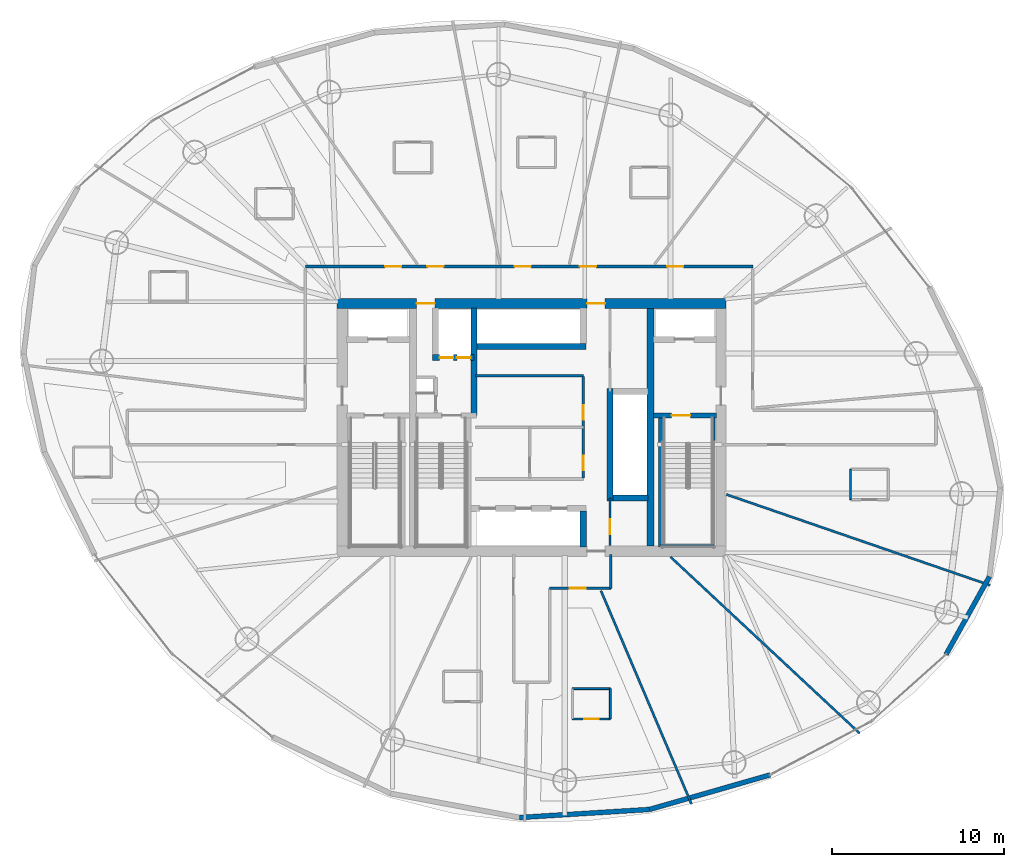
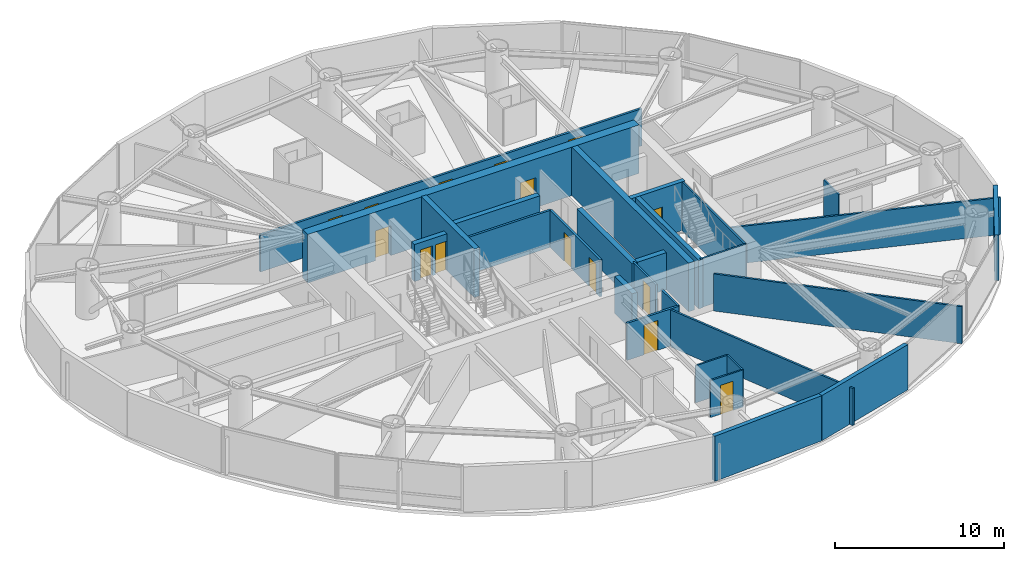
# One storey, part 15 of 20: 28 walls, 15 doors, 15 openings.
"""IFC4 building model written with IfcOpenShell, lengths in metres."""

from ifc_helpers import new_model, si_unit, direction, frame, frame_2d, origin, place, context, subcontext, project, spatial, rectangle, extrude, material, layer, layer_set, type_object, element, fill, save


model = new_model("IFC4")

# Units and contexts
model_context = context("Model", 3, precision=1e-05, world=origin(), true_north=direction((0.0, 1.0)))
body_context = subcontext(model_context, "Body", "Model", "MODEL_VIEW")
ifc_project = project(units=[si_unit("LENGTHUNIT", "METRE"), si_unit("AREAUNIT", "SQUARE_METRE"), si_unit("VOLUMEUNIT", "CUBIC_METRE"), si_unit("PLANEANGLEUNIT", "RADIAN"), si_unit("MASSUNIT", "GRAM", prefix="KILO")], contexts=[model_context])

# Site, building, storey
site_placement = place(None, origin())
site = spatial("IfcSite", under=ifc_project, at=site_placement, CompositionType="ELEMENT")
building_placement = place(site_placement, origin())
building = spatial("IfcBuilding", under=site, at=building_placement, Name="Bramvorn Convention Spire", CompositionType="ELEMENT")
storey_placement = place(building_placement, frame((0.0, 0.0, 106.300048828125)))
storey = spatial("IfcBuildingStorey", under=building, at=storey_placement, Name="L25", CompositionType="ELEMENT", Elevation=106.300048828125)

# Wall, openings, doors
ifc_material_1 = material(Name="Concrete C60/70", Category="concrete")
ifc_layer_1 = layer(ifc_material_1, 0.60009765625)
ifc_layer_set_1 = layer_set([ifc_layer_1], Name="Concrete C60/70 - WL-CORE-600")
wall_type_1 = type_object("IfcWallType", Name="WL-CORE-600", PredefinedType="SHEAR", material=ifc_layer_set_1)
wall_1_placement = place(storey_placement, frame((26.699951171875, 33.199951171875, 0.0), z_axis=(0.0, 0.0, 1.0), x_axis=(1.0, 0.0, 0.0)))
wall_1 = element("IfcWall", 1, at=wall_1_placement, inside=storey, type_object=wall_type_1, Name="L25 North RC core shear wall", PredefinedType="SHEAR", context=body_context, shape_type="SweptSolid", body=[
    extrude(rectangle(XDim=22.60009765625, YDim=0.60009765625, at=frame_2d((11.300048828125, 0.0))), origin(), (0.0, 0.0, 1.0), 3.5),
])
opening_1_placement = place(wall_1_placement, frame((4.6201171875, 0.0, 0.0)))
opening_1 = element("IfcOpeningElement", 2, at=opening_1_placement, cuts=wall_1, Name="Opening DL-105", PredefinedType="OPENING", context=body_context, shape_type="SweptSolid", body=[
    extrude(rectangle(XDim=1.050048828125, YDim=2.14990234375, at=frame_2d((0.52490234375, 1.074951171875))), frame((0.0, 0.31005859375, 0.0), z_axis=(0.0, -1.0, 0.0), x_axis=(1.0, 0.0, 0.0)), (0.0, 0.0, 1.0), 0.6201171875),
])
opening_2_placement = place(wall_1_placement, frame((14.52001953125, 0.0, 0.0)))
opening_2 = element("IfcOpeningElement", 3, at=opening_2_placement, cuts=wall_1, Name="Opening DL-105", PredefinedType="OPENING", context=body_context, shape_type="SweptSolid", body=[
    extrude(rectangle(XDim=1.050048828125, YDim=2.14990234375, at=frame_2d((0.52490234375, 1.074951171875))), frame((0.0, 0.31005859375, 0.0), z_axis=(0.0, -1.0, 0.0), x_axis=(1.0, 0.0, 0.0)), (0.0, 0.0, 1.0), 0.6201171875),
])
ifc_material_2 = material(Name="Smoke-Sealed Fire Lobby Timber-Core Door", Category="wood")
door_type_1 = type_object("IfcDoorType", Name="DR-LOBBY-1050", OperationType="NOTDEFINED", PredefinedType="DOOR", material=ifc_material_2)
door_1_placement = place(opening_1_placement, origin())
door_1 = element("IfcDoor", 4, at=door_1_placement, inside=storey, type_object=door_type_1, Name="L25 Service & Stair ST3 Lobby north corridor door", OperationType="SINGLE_SWING_LEFT", OverallHeight=2.14990234375, OverallWidth=1.050048828125, PredefinedType="DOOR", context=body_context, shape_type="SweptSolid", body=[
    extrude(rectangle(XDim=1.050048828125, YDim=2.14990234375, at=frame_2d((0.52490234375, 1.074951171875))), frame((0.0, 0.02490234375, 0.0), z_axis=(0.0, -1.0, 0.0), x_axis=(1.0, 0.0, 0.0)), (0.0, 0.0, 1.0), 0.050048828125),
])
fill(opening_1, door_1)
door_2_placement = place(opening_2_placement, origin())
door_2 = element("IfcDoor", 5, at=door_2_placement, inside=storey, type_object=door_type_1, Name="L25 North Lift Lobby fire door", OperationType="SINGLE_SWING_LEFT", OverallHeight=2.14990234375, OverallWidth=1.050048828125, PredefinedType="DOOR", context=body_context, shape_type="SweptSolid", body=[
    extrude(rectangle(XDim=1.050048828125, YDim=2.14990234375, at=frame_2d((0.52490234375, 1.074951171875))), frame((0.0, 0.02490234375, 0.0), z_axis=(0.0, -1.0, 0.0), x_axis=(1.0, 0.0, 0.0)), (0.0, 0.0, 1.0), 0.050048828125),
])
fill(opening_2, door_2)

# Wall
ifc_material_3 = material(Name="Concrete C50/60", Category="concrete")
ifc_layer_2 = layer(ifc_material_3, 0.35009765625)
ifc_layer_set_2 = layer_set([ifc_layer_2], Name="Concrete C50/60 - WL-CORE-INT-350")
wall_type_2 = type_object("IfcWallType", Name="WL-CORE-INT-350", PredefinedType="SHEAR", material=ifc_layer_set_2)
wall_2_placement = place(storey_placement, frame((34.639892578125, 26.68994140625, 0.0), z_axis=(0.0, 0.0, 1.0), x_axis=(0.0, 1.0, 0.0)))
element("IfcWall", 6, at=wall_2_placement, inside=storey, type_object=wall_type_2, Name="L25 SV east core shaft wall", PredefinedType="SHEAR", context=body_context, shape_type="SweptSolid", body=[
    extrude(rectangle(XDim=6.260009765625, YDim=0.35009765625, at=frame_2d((3.1298828125, 0.0))), origin(), (0.0, 0.0, 1.0), 3.5),
])

# Wall, openings, doors
wall_3_placement = place(storey_placement, frame((32.22998046875, 30.050048828125, 0.0), z_axis=(0.0, 0.0, 1.0), x_axis=(1.0, 0.0, 0.0)))
wall_3 = element("IfcWall", 7, at=wall_3_placement, inside=storey, type_object=wall_type_2, Name="L25 SV1/SV2 shaft front wall", PredefinedType="SHEAR", context=body_context, shape_type="SweptSolid", body=[
    extrude(rectangle(XDim=2.409912109375, YDim=0.35009765625, at=frame_2d((1.205078125, 0.0))), origin(), (0.0, 0.0, 1.0), 2.675048828125),
])
opening_3_placement = place(wall_3_placement, frame((0.419921875, 0.0, 0.0)))
opening_3 = element("IfcOpeningElement", 8, at=opening_3_placement, cuts=wall_3, Name="Opening LD-080", PredefinedType="OPENING", context=body_context, shape_type="SweptSolid", body=[
    extrude(rectangle(XDim=0.800048828125, YDim=2.14990234375, at=frame_2d((0.39990234375, 1.074951171875))), frame((0.0, 0.18505859375, 0.0), z_axis=(0.0, -1.0, 0.0), x_axis=(1.0, 0.0, 0.0)), (0.0, 0.0, 1.0), 0.3701171875),
])
opening_4_placement = place(wall_3_placement, frame((1.419921875, 0.0, 0.0)))
opening_4 = element("IfcOpeningElement", 9, at=opening_4_placement, cuts=wall_3, Name="Opening LD-080", PredefinedType="OPENING", context=body_context, shape_type="SweptSolid", body=[
    extrude(rectangle(XDim=0.800048828125, YDim=2.14990234375, at=frame_2d((0.39990234375, 1.074951171875))), frame((0.0, 0.18505859375, 0.0), z_axis=(0.0, -1.0, 0.0), x_axis=(1.0, 0.0, 0.0)), (0.0, 0.0, 1.0), 0.3701171875),
])
ifc_material_4 = material(Name="Service Lift Bi-Parting Landing Door", Category="steel")
door_type_2 = type_object("IfcDoorType", Name="DR-LIFT-LD-800", OperationType="NOTDEFINED", PredefinedType="DOOR", material=ifc_material_4)
door_3_placement = place(opening_3_placement, origin())
door_3 = element("IfcDoor", 10, at=door_3_placement, inside=storey, type_object=door_type_2, Name="L25 Lift SV1 Sliding Landing Door", OperationType="SLIDING_TO_LEFT", OverallHeight=2.14990234375, OverallWidth=0.800048828125, PredefinedType="DOOR", context=body_context, shape_type="SweptSolid", body=[
    extrude(rectangle(XDim=0.800048828125, YDim=2.14990234375, at=frame_2d((0.39990234375, 1.074951171875))), frame((0.0, 0.02490234375, 0.0), z_axis=(0.0, -1.0, 0.0), x_axis=(1.0, 0.0, 0.0)), (0.0, 0.0, 1.0), 0.050048828125),
])
fill(opening_3, door_3)
door_4_placement = place(opening_4_placement, origin())
door_4 = element("IfcDoor", 11, at=door_4_placement, inside=storey, type_object=door_type_2, Name="L25 Lift SV2 Sliding Landing Door", OperationType="SLIDING_TO_LEFT", OverallHeight=2.14990234375, OverallWidth=0.800048828125, PredefinedType="DOOR", context=body_context, shape_type="SweptSolid", body=[
    extrude(rectangle(XDim=0.800048828125, YDim=2.14990234375, at=frame_2d((0.39990234375, 1.074951171875))), frame((0.0, 0.02490234375, 0.0), z_axis=(0.0, -1.0, 0.0), x_axis=(1.0, 0.0, 0.0)), (0.0, 0.0, 1.0), 0.050048828125),
])
fill(opening_4, door_4)

# Walls
wall_4_placement = place(storey_placement, frame((42.550048828125, 21.72998046875, 0.0), z_axis=(0.0, 0.0, 1.0), x_axis=(0.0, 1.0, 0.0)))
element("IfcWall", 12, at=wall_4_placement, inside=storey, type_object=wall_type_2, Name="L25 High-rise lift bank west wall", PredefinedType="SHEAR", context=body_context, shape_type="SweptSolid", body=[
    extrude(rectangle(XDim=6.5400390625, YDim=0.35009765625, at=frame_2d((3.27001953125, 0.0))), origin(), (0.0, 0.0, 1.0), 2.675048828125),
])
wall_5_placement = place(storey_placement, frame((42.719970703125, 21.89990234375, 0.0), z_axis=(0.0, 0.0, 1.0), x_axis=(1.0, 0.0, 0.0)))
element("IfcWall", 13, at=wall_5_placement, inside=storey, type_object=wall_type_2, Name="L25 High-rise lift bank south wall", PredefinedType="SHEAR", context=body_context, shape_type="SweptSolid", body=[
    extrude(rectangle(XDim=2.030029296875, YDim=0.35009765625, at=frame_2d((1.01513671875, 0.0))), origin(), (0.0, 0.0, 1.0), 2.675048828125),
])
wall_6_placement = place(storey_placement, frame((34.81005859375, 30.699951171875, 0.0), z_axis=(0.0, 0.0, 1.0), x_axis=(1.0, 0.0, 0.0)))
element("IfcWall", 14, at=wall_6_placement, inside=storey, type_object=wall_type_2, Name="L25 Low-rise bank south landing wall", PredefinedType="SHEAR", context=body_context, shape_type="SweptSolid", body=[
    extrude(rectangle(XDim=6.35986328125, YDim=0.35009765625, at=frame_2d((3.179931640625, 0.0))), origin(), (0.0, 0.0, 1.0), 2.675048828125),
])
wall_7_placement = place(storey_placement, frame((41.0, 19.050048828125, 0.0), z_axis=(0.0, 0.0, 1.0), x_axis=(0.0, 1.0, 0.0)))
element("IfcWall", 15, at=wall_7_placement, inside=storey, type_object=wall_type_2, Name="L25 Mid-rise bank east cheek wall", PredefinedType="SHEAR", context=body_context, shape_type="SweptSolid", body=[
    extrude(rectangle(XDim=2.079833984375, YDim=0.35009765625, at=frame_2d((1.0400390625, 0.0))), origin(), (0.0, 0.0, 1.0), 2.675048828125),
])
ifc_layer_3 = layer(ifc_material_1, 0.39990234375)
ifc_layer_set_3 = layer_set([ifc_layer_3], Name="Concrete C60/70 - WL-CORE-INT-400")
wall_type_3 = type_object("IfcWallType", Name="WL-CORE-INT-400", PredefinedType="SHEAR", material=ifc_layer_set_3)
wall_8_placement = place(storey_placement, frame((44.89990234375, 19.10009765625, 0.0), z_axis=(0.0, 0.0, 1.0), x_axis=(0.0, 1.0, 0.0)))
element("IfcWall", 16, at=wall_8_placement, inside=storey, type_object=wall_type_3, Name="L25 East internal core shear web", PredefinedType="SHEAR", context=body_context, shape_type="SweptSolid", body=[
    extrude(rectangle(XDim=13.7998046875, YDim=0.39990234375, at=frame_2d((6.89990234375, 0.0))), origin(), (0.0, 0.0, 1.0), 3.5),
])
ifc_material_5 = material(Name="Precast Concrete C40/50 with Bronze Terracotta Rainscreen", Category="masonry")
ifc_layer_4 = layer(ifc_material_5, 0.300048828125)
ifc_layer_set_4 = layer_set([ifc_layer_4], Name="Precast Concrete C40/50 with Bronze Terracotta Rainscreen - WL-EXT-BRONZE-300")
wall_type_4 = type_object("IfcWallType", Name="WL-EXT-BRONZE-300", PredefinedType="SOLIDWALL", material=ifc_layer_set_4)
wall_9_placement = place(storey_placement, frame((44.848388671875, 3.799560546875, 0.0), z_axis=(0.0, 0.0, 1.0), x_axis=(-0.99808058992, -0.061928475073, 0.0)))
element("IfcWall", 17, at=wall_9_placement, inside=storey, type_object=wall_type_4, Name="L25 expressed bronze Gothic lancet pier wall 20", PredefinedType="SOLIDWALL", context=body_context, shape_type="SweptSolid", body=[
    extrude(rectangle(XDim=7.5693359375, YDim=0.280029296875, at=frame_2d((3.78466796875, 0.0))), origin(), (0.0, 0.0, 1.0), 3.260009765625),
])
wall_10_placement = place(storey_placement, frame((51.8583984375, 5.806396484375, 0.0), z_axis=(0.0, 0.0, 1.0), x_axis=(-0.961379778043, -0.275225221172, 0.0)))
element("IfcWall", 18, at=wall_10_placement, inside=storey, type_object=wall_type_4, Name="L25 expressed bronze Gothic lancet pier wall 21", PredefinedType="SOLIDWALL", context=body_context, shape_type="SweptSolid", body=[
    extrude(rectangle(XDim=7.29150390625, YDim=0.280029296875, at=frame_2d((3.645751953125, 0.0))), origin(), (0.0, 0.0, 1.0), 3.260009765625),
])
wall_11_placement = place(storey_placement, frame((64.60302734375, 17.33056640625, 0.0), z_axis=(0.0, 0.0, 1.0), x_axis=(-0.486776225007, -0.873526706385, 0.0)))
element("IfcWall", 19, at=wall_11_placement, inside=storey, type_object=wall_type_4, Name="L25 expressed bronze Gothic lancet pier wall 24", PredefinedType="SOLIDWALL", context=body_context, shape_type="SweptSolid", body=[
    extrude(rectangle(XDim=5.174560546875, YDim=0.280029296875, at=frame_2d((2.58740234375, 0.0))), origin(), (0.0, 0.0, 1.0), 3.260009765625),
])

# Wall, opening, door
ifc_material_6 = material(Name="Lightweight En-Suite & Wet-Wall Partition", Category="gypsum")
ifc_layer_5 = layer(ifc_material_6, 0.110107421875)
ifc_layer_set_5 = layer_set([ifc_layer_5], Name="Lightweight En-Suite & Wet-Wall Partition - WL-PART-110")
wall_type_5 = type_object("IfcWallType", Name="WL-PART-110", PredefinedType="PARTITIONING", material=ifc_layer_set_5)
wall_12_placement = place(storey_placement, frame((40.37353515625, 9.05810546875, 0.0), z_axis=(0.0, 0.0, 1.0), x_axis=(1.0, 0.0, 0.0)))
wall_12 = element("IfcWall", 20, at=wall_12_placement, inside=storey, type_object=wall_type_5, Name="Hotel Suite 2512 en-suite south wall", PredefinedType="PARTITIONING", context=body_context, shape_type="SweptSolid", body=[
    extrude(rectangle(XDim=2.199951171875, YDim=0.110107421875, at=frame_2d((1.10009765625, 0.0))), origin(), (0.0, 0.0, 1.0), 2.675048828125),
])
opening_5_placement = place(wall_12_placement, frame((0.679931640625, 0.0, 0.0)))
opening_5 = element("IfcOpeningElement", 21, at=opening_5_placement, cuts=wall_12, Name="Opening DI-085", PredefinedType="OPENING", context=body_context, shape_type="SweptSolid", body=[
    extrude(rectangle(XDim=0.85009765625, YDim=2.10009765625, at=frame_2d((0.425048828125, 1.050048828125))), frame((0.0, 0.06494140625, 0.0), z_axis=(0.0, -1.0, 0.0), x_axis=(1.0, 0.0, 0.0)), (0.0, 0.0, 1.0), 0.130126953125),
])
ifc_material_7 = material(Name="En-Suite & Restroom Privacy Door", Category="wood")
door_type_3 = type_object("IfcDoorType", Name="DR-INT-850", OperationType="NOTDEFINED", PredefinedType="DOOR", material=ifc_material_7)
door_5_placement = place(opening_5_placement, origin())
door_5 = element("IfcDoor", 22, at=door_5_placement, inside=storey, type_object=door_type_3, Name="Hotel Suite 2512 En-Suite Bathroom door", OperationType="SINGLE_SWING_LEFT", OverallHeight=2.10009765625, OverallWidth=0.85009765625, PredefinedType="DOOR", context=body_context, shape_type="SweptSolid", body=[
    extrude(rectangle(XDim=0.85009765625, YDim=2.10009765625, at=frame_2d((0.425048828125, 1.050048828125))), frame((0.0, 0.02490234375, 0.0), z_axis=(0.0, -1.0, 0.0), x_axis=(1.0, 0.0, 0.0)), (0.0, 0.0, 1.0), 0.050048828125),
])
fill(opening_5, door_5)

# Walls
wall_13_placement = place(storey_placement, frame((40.37353515625, 10.818115234375, 0.0), z_axis=(0.0, 0.0, 1.0), x_axis=(1.0, 0.0, 0.0)))
element("IfcWall", 23, at=wall_13_placement, inside=storey, type_object=wall_type_5, Name="Hotel Suite 2512 en-suite north wall", PredefinedType="PARTITIONING", context=body_context, shape_type="SweptSolid", body=[
    extrude(rectangle(XDim=2.199951171875, YDim=0.110107421875, at=frame_2d((1.10009765625, 0.0))), origin(), (0.0, 0.0, 1.0), 2.675048828125),
])
for number, where, z_axis, x_axis, name in (
    (24, (42.573486328125, 9.05810546875, 0.0), (0.0, 0.0, 1.0), (0.0, 1.0, 0.0), "Hotel Suite 2512 en-suite east wall"),
    (25, (56.53173828125, 21.80517578125, 0.0), (0.0, 0.0, 1.0), (0.0, 1.0, 0.0), "Hotel Suite 2515 en-suite west wall"),
):
    element("IfcWall", number, at=place(storey_placement, frame(where, z_axis=z_axis, x_axis=x_axis)), inside=storey, type_object=wall_type_5, Name=name, PredefinedType="PARTITIONING", context=body_context, shape_type="SweptSolid", body=[
        extrude(rectangle(XDim=1.760009765625, YDim=0.110107421875, at=frame_2d((0.8798828125, 0.0))), origin(), (0.0, 0.0, 1.0), 2.675048828125),
    ])

# Wall, opening, door
ifc_material_8 = material(Name="Metal-Stud Demountable Office Partition", Category="gypsum")
ifc_layer_6 = layer(ifc_material_8, 0.1298828125)
ifc_layer_set_6 = layer_set([ifc_layer_6], Name="Metal-Stud Demountable Office Partition - WL-PART-130")
wall_type_6 = type_object("IfcWallType", Name="WL-PART-130", PredefinedType="PARTITIONING", material=ifc_layer_set_6)
wall_14_placement = place(storey_placement, frame((42.550048828125, 19.14990234375, 0.0), z_axis=(0.0, 0.0, 1.0), x_axis=(0.0, 1.0, 0.0)))
wall_14 = element("IfcWall", 26, at=wall_14_placement, inside=storey, type_object=wall_type_6, Name="L25 KA SE store wall", PredefinedType="PARTITIONING", context=body_context, shape_type="SweptSolid", body=[
    extrude(rectangle(XDim=2.75, YDim=0.1298828125, at=frame_2d((1.375, 0.0))), origin(), (0.0, 0.0, 1.0), 2.675048828125),
])
opening_6_placement = place(wall_14_placement, frame((0.64990234375, 0.0, 0.0)))
opening_6 = element("IfcOpeningElement", 27, at=opening_6_placement, cuts=wall_14, Name="Opening DC-085", PredefinedType="OPENING", context=body_context, shape_type="SweptSolid", body=[
    extrude(rectangle(XDim=0.85009765625, YDim=2.10009765625, at=frame_2d((0.425048828125, 1.050048828125))), frame((0.0, 0.074951171875, 0.0), z_axis=(0.0, -1.0, 0.0), x_axis=(1.0, 0.0, 0.0)), (0.0, 0.0, 1.0), 0.14990234375),
])
ifc_material_9 = material(Name="Fire-Rated Core Washroom & IDF Door", Category="wood")
door_type_4 = type_object("IfcDoorType", Name="DR-CORE-850", OperationType="NOTDEFINED", PredefinedType="DOOR", material=ifc_material_9)
door_6_placement = place(opening_6_placement, origin())
door_6 = element("IfcDoor", 28, at=door_6_placement, inside=storey, type_object=door_type_4, Name="L25 Floor Housekeeping & Linen Store door", OperationType="SINGLE_SWING_LEFT", OverallHeight=2.10009765625, OverallWidth=0.85009765625, PredefinedType="DOOR", context=body_context, shape_type="SweptSolid", body=[
    extrude(rectangle(XDim=0.85009765625, YDim=2.10009765625, at=frame_2d((0.425048828125, 1.050048828125))), frame((0.0, 0.02490234375, 0.0), z_axis=(0.0, -1.0, 0.0), x_axis=(1.0, 0.0, 0.0)), (0.0, 0.0, 1.0), 0.050048828125),
])
fill(opening_6, door_6)

# Walls
wall_15_placement = place(storey_placement, frame((42.0283203125, 16.510009765625, 0.0), z_axis=(0.0, 0.0, 1.0), x_axis=(0.390724326838, -0.920507740552, 0.0)))
element("IfcWall", 29, at=wall_15_placement, inside=storey, type_object=wall_type_6, Name="L25 Guestroom demising wall 13", PredefinedType="PARTITIONING", context=body_context, shape_type="SweptSolid", body=[
    extrude(rectangle(XDim=13.474609375, YDim=0.1298828125, at=frame_2d((6.7373046875, 0.0))), origin(), (0.0, 0.0, 1.0), 2.675048828125),
])
wall_16_placement = place(storey_placement, frame((46.064208984375, 18.47998046875, 0.0), z_axis=(0.0, 0.0, 1.0), x_axis=(0.73135803083, -0.681993717523, 0.0)))
element("IfcWall", 30, at=wall_16_placement, inside=storey, type_object=wall_type_6, Name="L25 Guestroom demising wall 14", PredefinedType="PARTITIONING", context=body_context, shape_type="SweptSolid", body=[
    extrude(rectangle(XDim=15.039794921875, YDim=0.1298828125, at=frame_2d((7.52001953125, 0.0))), origin(), (0.0, 0.0, 1.0), 2.675048828125),
])
wall_17_placement = place(storey_placement, frame((49.320068359375, 22.102294921875, 0.0), z_axis=(0.0, 0.0, 1.0), x_axis=(0.945519124535, -0.325566560229, 0.0)))
element("IfcWall", 31, at=wall_17_placement, inside=storey, type_object=wall_type_6, Name="L25 Guestroom demising wall 15", PredefinedType="PARTITIONING", context=body_context, shape_type="SweptSolid", body=[
    extrude(rectangle(XDim=16.2158203125, YDim=0.1298828125, at=frame_2d((8.10791015625, 0.0))), origin(), (0.0, 0.0, 1.0), 2.675048828125),
])
ifc_material_10 = material(Name="Acoustic Metal-Stud Tenant/Corridor Partition", Category="gypsum")
ifc_layer_7 = layer(ifc_material_10, 0.14990234375)
ifc_layer_set_7 = layer_set([ifc_layer_7], Name="Acoustic Metal-Stud Tenant/Corridor Partition - WL-PART-150")
wall_type_7 = type_object("IfcWallType", Name="WL-PART-150", PredefinedType="PARTITIONING", material=ifc_layer_set_7)
wall_18_placement = place(storey_placement, frame((34.75, 29.0, 0.0), z_axis=(0.0, 0.0, 1.0), x_axis=(1.0, 0.0, 0.0)))
element("IfcWall", 32, at=wall_18_placement, inside=storey, type_object=wall_type_7, Name="L25 Low-rise lift vestibule south wall", PredefinedType="PARTITIONING", context=body_context, shape_type="SweptSolid", body=[
    extrude(rectangle(XDim=6.25, YDim=0.14990234375, at=frame_2d((3.125, 0.0))), origin(), (0.0, 0.0, 1.0), 2.675048828125),
])

# Wall, openings, doors
wall_19_placement = place(storey_placement, frame((41.0, 23.050048828125, 0.0), z_axis=(0.0, 0.0, 1.0), x_axis=(0.0, 1.0, 0.0)))
wall_19 = element("IfcWall", 33, at=wall_19_placement, inside=storey, type_object=wall_type_7, Name="L25 KA east core wall", PredefinedType="PARTITIONING", context=body_context, shape_type="SweptSolid", body=[
    extrude(rectangle(XDim=5.89990234375, YDim=0.14990234375, at=frame_2d((2.949951171875, 0.0))), origin(), (0.0, 0.0, 1.0), 2.675048828125),
])
opening_7_placement = place(wall_19_placement, frame((3.39990234375, 0.0, 0.0)))
opening_7 = element("IfcOpeningElement", 34, at=opening_7_placement, cuts=wall_19, Name="Opening DC-085", PredefinedType="OPENING", context=body_context, shape_type="SweptSolid", body=[
    extrude(rectangle(XDim=0.85009765625, YDim=2.10009765625, at=frame_2d((0.425048828125, 1.050048828125))), frame((0.0, 0.0849609375, 0.0), z_axis=(0.0, -1.0, 0.0), x_axis=(1.0, 0.0, 0.0)), (0.0, 0.0, 1.0), 0.169921875),
])
opening_8_placement = place(wall_19_placement, frame((0.449951171875, 0.0, 0.0)))
opening_8 = element("IfcOpeningElement", 35, at=opening_8_placement, cuts=wall_19, Name="Opening DC-085", PredefinedType="OPENING", context=body_context, shape_type="SweptSolid", body=[
    extrude(rectangle(XDim=0.85009765625, YDim=2.10009765625, at=frame_2d((0.425048828125, 1.050048828125))), frame((0.0, 0.0849609375, 0.0), z_axis=(0.0, -1.0, 0.0), x_axis=(1.0, 0.0, 0.0)), (0.0, 0.0, 1.0), 0.169921875),
])
door_7_placement = place(opening_7_placement, origin())
door_7 = element("IfcDoor", 36, at=door_7_placement, inside=storey, type_object=door_type_4, Name="L25 Core Linen & Equipment Store door", OperationType="SINGLE_SWING_LEFT", OverallHeight=2.10009765625, OverallWidth=0.85009765625, PredefinedType="DOOR", context=body_context, shape_type="SweptSolid", body=[
    extrude(rectangle(XDim=0.85009765625, YDim=2.10009765625, at=frame_2d((0.425048828125, 1.050048828125))), frame((0.0, 0.02490234375, 0.0), z_axis=(0.0, -1.0, 0.0), x_axis=(1.0, 0.0, 0.0)), (0.0, 0.0, 1.0), 0.050048828125),
])
fill(opening_7, door_7)
door_8_placement = place(opening_8_placement, origin())
door_8 = element("IfcDoor", 37, at=door_8_placement, inside=storey, type_object=door_type_4, Name="L25 Accessible Core Restroom door", OperationType="SINGLE_SWING_LEFT", OverallHeight=2.10009765625, OverallWidth=0.85009765625, PredefinedType="DOOR", context=body_context, shape_type="SweptSolid", body=[
    extrude(rectangle(XDim=0.85009765625, YDim=2.10009765625, at=frame_2d((0.425048828125, 1.050048828125))), frame((0.0, 0.02490234375, 0.0), z_axis=(0.0, -1.0, 0.0), x_axis=(1.0, 0.0, 0.0)), (0.0, 0.0, 1.0), 0.050048828125),
])
fill(opening_8, door_8)

wall_20_placement = place(storey_placement, frame((24.85009765625, 35.35009765625, 0.0), z_axis=(0.0, 0.0, 1.0), x_axis=(1.0, 0.0, 0.0)))
wall_20 = element("IfcWall", 38, at=wall_20_placement, inside=storey, type_object=wall_type_7, Name="L25 North gallery wall", PredefinedType="PARTITIONING", context=body_context, shape_type="SweptSolid", body=[
    extrude(rectangle(XDim=26.0, YDim=0.14990234375, at=frame_2d((13.0, 0.0))), origin(), (0.0, 0.0, 1.0), 2.675048828125),
])
opening_9_placement = place(wall_20_placement, frame((21.017333984375, 0.0, 0.0)))
opening_9 = element("IfcOpeningElement", 39, at=opening_9_placement, cuts=wall_20, Name="Opening DH-095", PredefinedType="OPENING", context=body_context, shape_type="SweptSolid", body=[
    extrude(rectangle(XDim=0.949951171875, YDim=2.14990234375, at=frame_2d((0.47509765625, 1.074951171875))), frame((0.0, 0.0849609375, 0.0), z_axis=(0.0, -1.0, 0.0), x_axis=(1.0, 0.0, 0.0)), (0.0, 0.0, 1.0), 0.169921875),
])
opening_10_placement = place(wall_20_placement, frame((15.9541015625, 0.0, 0.0)))
opening_10 = element("IfcOpeningElement", 40, at=opening_10_placement, cuts=wall_20, Name="Opening DH-095", PredefinedType="OPENING", context=body_context, shape_type="SweptSolid", body=[
    extrude(rectangle(XDim=0.949951171875, YDim=2.14990234375, at=frame_2d((0.47509765625, 1.074951171875))), frame((0.0, 0.0849609375, 0.0), z_axis=(0.0, -1.0, 0.0), x_axis=(1.0, 0.0, 0.0)), (0.0, 0.0, 1.0), 0.169921875),
])
opening_11_placement = place(wall_20_placement, frame((12.154541015625, 0.0, 0.0)))
opening_11 = element("IfcOpeningElement", 41, at=opening_11_placement, cuts=wall_20, Name="Opening DH-095", PredefinedType="OPENING", context=body_context, shape_type="SweptSolid", body=[
    extrude(rectangle(XDim=0.949951171875, YDim=2.14990234375, at=frame_2d((0.47509765625, 1.074951171875))), frame((0.0, 0.0849609375, 0.0), z_axis=(0.0, -1.0, 0.0), x_axis=(1.0, 0.0, 0.0)), (0.0, 0.0, 1.0), 0.169921875),
])
opening_12_placement = place(wall_20_placement, frame((7.085693359375, 0.0, 0.0)))
opening_12 = element("IfcOpeningElement", 42, at=opening_12_placement, cuts=wall_20, Name="Opening DH-095", PredefinedType="OPENING", context=body_context, shape_type="SweptSolid", body=[
    extrude(rectangle(XDim=0.949951171875, YDim=2.14990234375, at=frame_2d((0.47509765625, 1.074951171875))), frame((0.0, 0.0849609375, 0.0), z_axis=(0.0, -1.0, 0.0), x_axis=(1.0, 0.0, 0.0)), (0.0, 0.0, 1.0), 0.169921875),
])
opening_13_placement = place(wall_20_placement, frame((4.63671875, 0.0, 0.0)))
opening_13 = element("IfcOpeningElement", 43, at=opening_13_placement, cuts=wall_20, Name="Opening DH-095", PredefinedType="OPENING", context=body_context, shape_type="SweptSolid", body=[
    extrude(rectangle(XDim=0.949951171875, YDim=2.14990234375, at=frame_2d((0.47509765625, 1.074951171875))), frame((0.0, 0.0849609375, 0.0), z_axis=(0.0, -1.0, 0.0), x_axis=(1.0, 0.0, 0.0)), (0.0, 0.0, 1.0), 0.169921875),
])
ifc_material_11 = material(Name="Solid-Core Acoustic Guestroom Entry Door", Category="wood")
door_type_5 = type_object("IfcDoorType", Name="DR-HOTEL-950", OperationType="NOTDEFINED", PredefinedType="DOOR", material=ifc_material_11)
door_9_placement = place(opening_9_placement, origin())
door_9 = element("IfcDoor", 44, at=door_9_placement, inside=storey, type_object=door_type_5, Name="L25 Hospitality Lounge 2 door", OperationType="SINGLE_SWING_RIGHT", OverallHeight=2.14990234375, OverallWidth=0.949951171875, PredefinedType="DOOR", context=body_context, shape_type="SweptSolid", body=[
    extrude(rectangle(XDim=0.949951171875, YDim=2.14990234375, at=frame_2d((0.47509765625, 1.074951171875))), frame((0.0, 0.02490234375, 0.0), z_axis=(0.0, -1.0, 0.0), x_axis=(1.0, 0.0, 0.0)), (0.0, 0.0, 1.0), 0.050048828125),
])
fill(opening_9, door_9)
door_10_placement = place(opening_10_placement, origin())
door_10 = element("IfcDoor", 45, at=door_10_placement, inside=storey, type_object=door_type_5, Name="Hotel Suite 2503 entry door", OperationType="SINGLE_SWING_RIGHT", OverallHeight=2.14990234375, OverallWidth=0.949951171875, PredefinedType="DOOR", context=body_context, shape_type="SweptSolid", body=[
    extrude(rectangle(XDim=0.949951171875, YDim=2.14990234375, at=frame_2d((0.47509765625, 1.074951171875))), frame((0.0, 0.02490234375, 0.0), z_axis=(0.0, -1.0, 0.0), x_axis=(1.0, 0.0, 0.0)), (0.0, 0.0, 1.0), 0.050048828125),
])
fill(opening_10, door_10)
door_11_placement = place(opening_11_placement, origin())
door_11 = element("IfcDoor", 46, at=door_11_placement, inside=storey, type_object=door_type_5, Name="Hotel Suite 2504 entry door", OperationType="SINGLE_SWING_LEFT", OverallHeight=2.14990234375, OverallWidth=0.949951171875, PredefinedType="DOOR", context=body_context, shape_type="SweptSolid", body=[
    extrude(rectangle(XDim=0.949951171875, YDim=2.14990234375, at=frame_2d((0.47509765625, 1.074951171875))), frame((0.0, 0.02490234375, 0.0), z_axis=(0.0, -1.0, 0.0), x_axis=(1.0, 0.0, 0.0)), (0.0, 0.0, 1.0), 0.050048828125),
])
fill(opening_11, door_11)
door_12_placement = place(opening_12_placement, origin())
door_12 = element("IfcDoor", 47, at=door_12_placement, inside=storey, type_object=door_type_5, Name="Hotel Suite 2505 entry door", OperationType="SINGLE_SWING_RIGHT", OverallHeight=2.14990234375, OverallWidth=0.949951171875, PredefinedType="DOOR", context=body_context, shape_type="SweptSolid", body=[
    extrude(rectangle(XDim=0.949951171875, YDim=2.14990234375, at=frame_2d((0.47509765625, 1.074951171875))), frame((0.0, 0.02490234375, 0.0), z_axis=(0.0, -1.0, 0.0), x_axis=(1.0, 0.0, 0.0)), (0.0, 0.0, 1.0), 0.050048828125),
])
fill(opening_12, door_12)
door_13_placement = place(opening_13_placement, origin())
door_13 = element("IfcDoor", 48, at=door_13_placement, inside=storey, type_object=door_type_5, Name="Hotel Suite 2506 entry door", OperationType="SINGLE_SWING_LEFT", OverallHeight=2.14990234375, OverallWidth=0.949951171875, PredefinedType="DOOR", context=body_context, shape_type="SweptSolid", body=[
    extrude(rectangle(XDim=0.949951171875, YDim=2.14990234375, at=frame_2d((0.47509765625, 1.074951171875))), frame((0.0, 0.02490234375, 0.0), z_axis=(0.0, -1.0, 0.0), x_axis=(1.0, 0.0, 0.0)), (0.0, 0.0, 1.0), 0.050048828125),
])
fill(opening_13, door_13)

# Wall, opening, door
wall_21_placement = place(storey_placement, frame((39.050048828125, 16.64990234375, 0.0), z_axis=(0.0, 0.0, 1.0), x_axis=(1.0, 0.0, 0.0)))
wall_21 = element("IfcWall", 49, at=wall_21_placement, inside=storey, type_object=wall_type_7, Name="L25 South lift lobby link wall", PredefinedType="PARTITIONING", context=body_context, shape_type="SweptSolid", body=[
    extrude(rectangle(XDim=3.550048828125, YDim=0.14990234375, at=frame_2d((1.77490234375, 0.0))), origin(), (0.0, 0.0, 1.0), 2.675048828125),
])
opening_14_placement = place(wall_21_placement, frame((1.158203125, 0.0, 0.0)))
opening_14 = element("IfcOpeningElement", 50, at=opening_14_placement, cuts=wall_21, Name="Opening DH-095", PredefinedType="OPENING", context=body_context, shape_type="SweptSolid", body=[
    extrude(rectangle(XDim=0.949951171875, YDim=2.14990234375, at=frame_2d((0.47509765625, 1.074951171875))), frame((0.0, 0.0849609375, 0.0), z_axis=(0.0, -1.0, 0.0), x_axis=(1.0, 0.0, 0.0)), (0.0, 0.0, 1.0), 0.169921875),
])
door_14_placement = place(opening_14_placement, origin())
door_14 = element("IfcDoor", 51, at=door_14_placement, inside=storey, type_object=door_type_5, Name="Hotel Suite 2512 entry door", OperationType="SINGLE_SWING_RIGHT", OverallHeight=2.14990234375, OverallWidth=0.949951171875, PredefinedType="DOOR", context=body_context, shape_type="SweptSolid", body=[
    extrude(rectangle(XDim=0.949951171875, YDim=2.14990234375, at=frame_2d((0.47509765625, 1.074951171875))), frame((0.0, 0.02490234375, 0.0), z_axis=(0.0, -1.0, 0.0), x_axis=(1.0, 0.0, 0.0)), (0.0, 0.0, 1.0), 0.050048828125),
])
fill(opening_14, door_14)

# Wall
wall_22_placement = place(storey_placement, frame((42.60009765625, 16.64990234375, 0.0), z_axis=(0.0, 0.0, 1.0), x_axis=(0.0, 1.0, 0.0)))
element("IfcWall", 52, at=wall_22_placement, inside=storey, type_object=wall_type_7, Name="L25 South lift lobby east cheek", PredefinedType="PARTITIONING", context=body_context, shape_type="SweptSolid", body=[
    extrude(rectangle(XDim=1.9501953125, YDim=0.14990234375, at=frame_2d((0.97509765625, 0.0))), origin(), (0.0, 0.0, 1.0), 2.675048828125),
])

# Wall, opening, door
ifc_layer_8 = layer(ifc_material_3, 0.300048828125)
ifc_layer_set_8 = layer_set([ifc_layer_8], Name="Concrete C50/60 - WL-POD-STAIR-300")
wall_type_8 = type_object("IfcWallType", Name="WL-POD-STAIR-300", PredefinedType="SHEAR", material=ifc_layer_set_8)
wall_23_placement = place(storey_placement, frame((45.080078125, 26.68994140625, 0.0), z_axis=(0.0, 0.0, 1.0), x_axis=(1.0, 0.0, 0.0)))
wall_23 = element("IfcWall", 53, at=wall_23_placement, inside=storey, type_object=wall_type_8, Name="L25 ST2 north fire wall", PredefinedType="SHEAR", context=body_context, shape_type="SweptSolid", body=[
    extrude(rectangle(XDim=3.669921875, YDim=0.300048828125, at=frame_2d((1.8349609375, 0.0))), origin(), (0.0, 0.0, 1.0), 3.5),
])
opening_15_placement = place(wall_23_placement, frame((1.050048828125, 0.0, 0.0)))
opening_15 = element("IfcOpeningElement", 54, at=opening_15_placement, cuts=wall_23, Name="Opening DS-110", PredefinedType="OPENING", context=body_context, shape_type="SweptSolid", body=[
    extrude(rectangle(XDim=1.10009765625, YDim=2.14990234375, at=frame_2d((0.550048828125, 1.074951171875))), frame((0.0, 0.159912109375, 0.0), z_axis=(0.0, -1.0, 0.0), x_axis=(1.0, 0.0, 0.0)), (0.0, 0.0, 1.0), 0.320068359375),
])
ifc_material_12 = material(Name="Fire-Rated Hollow Steel Stairwell Door", Category="steel")
door_type_6 = type_object("IfcDoorType", Name="DR-STAIR-1100", OperationType="NOTDEFINED", PredefinedType="DOOR", material=ifc_material_12)
door_15_placement = place(opening_15_placement, origin())
door_15 = element("IfcDoor", 55, at=door_15_placement, inside=storey, type_object=door_type_6, Name="L25 Stair ST2 fire door", OperationType="SINGLE_SWING_RIGHT", OverallHeight=2.14990234375, OverallWidth=1.10009765625, PredefinedType="DOOR", context=body_context, shape_type="SweptSolid", body=[
    extrude(rectangle(XDim=1.10009765625, YDim=2.14990234375, at=frame_2d((0.550048828125, 1.074951171875))), frame((0.0, 0.02490234375, 0.0), z_axis=(0.0, -1.0, 0.0), x_axis=(1.0, 0.0, 0.0)), (0.0, 0.0, 1.0), 0.050048828125),
])
fill(opening_15, door_15)

# Walls
wall_24_placement = place(storey_placement, frame((45.510009765625, 19.050048828125, 0.0), z_axis=(0.0, 0.0, 1.0), x_axis=(0.0, 1.0, 0.0)))
element("IfcWall", 56, at=wall_24_placement, inside=storey, type_object=wall_type_8, Name="L25 ST2 west bearing wall", PredefinedType="SHEAR", context=body_context, shape_type="SweptSolid", body=[
    extrude(rectangle(XDim=7.5, YDim=0.300048828125, at=frame_2d((3.75, 0.0))), origin(), (0.0, 0.0, 1.0), 3.5),
])
ifc_layer_9 = layer(ifc_material_3, 0.1201171875)
ifc_layer_set_9 = layer_set([ifc_layer_9], Name="Concrete C50/60 - WL-STAIR-RC-120")
wall_type_9 = type_object("IfcWallType", Name="WL-STAIR-RC-120", PredefinedType="SHEAR", material=ifc_layer_set_9)
wall_25_placement = place(storey_placement, frame((48.60498046875, 19.10009765625, 0.0), z_axis=(0.0, 0.0, 1.0), x_axis=(0.0, 1.0, 0.0)))
element("IfcWall", 57, at=wall_25_placement, inside=storey, type_object=wall_type_9, Name="L25 ST2 east bearing shear wall", PredefinedType="SHEAR", context=body_context, shape_type="SweptSolid", body=[
    extrude(rectangle(XDim=7.449951171875, YDim=0.1201171875, at=frame_2d((3.72509765625, 0.0))), origin(), (0.0, 0.0, 1.0), 3.5),
])
wall_26_placement = place(storey_placement, frame((45.510009765625, 19.159912109375, 0.0), z_axis=(0.0, 0.0, 1.0), x_axis=(1.0, 0.0, 0.0)))
element("IfcWall", 58, at=wall_26_placement, inside=storey, type_object=wall_type_9, Name="L25 ST2 south bearing shear wall", PredefinedType="SHEAR", context=body_context, shape_type="SweptSolid", body=[
    extrude(rectangle(XDim=3.094970703125, YDim=0.1201171875, at=frame_2d((1.54736328125, 0.0))), origin(), (0.0, 0.0, 1.0), 3.5),
])

save(model, "model.ifc")
